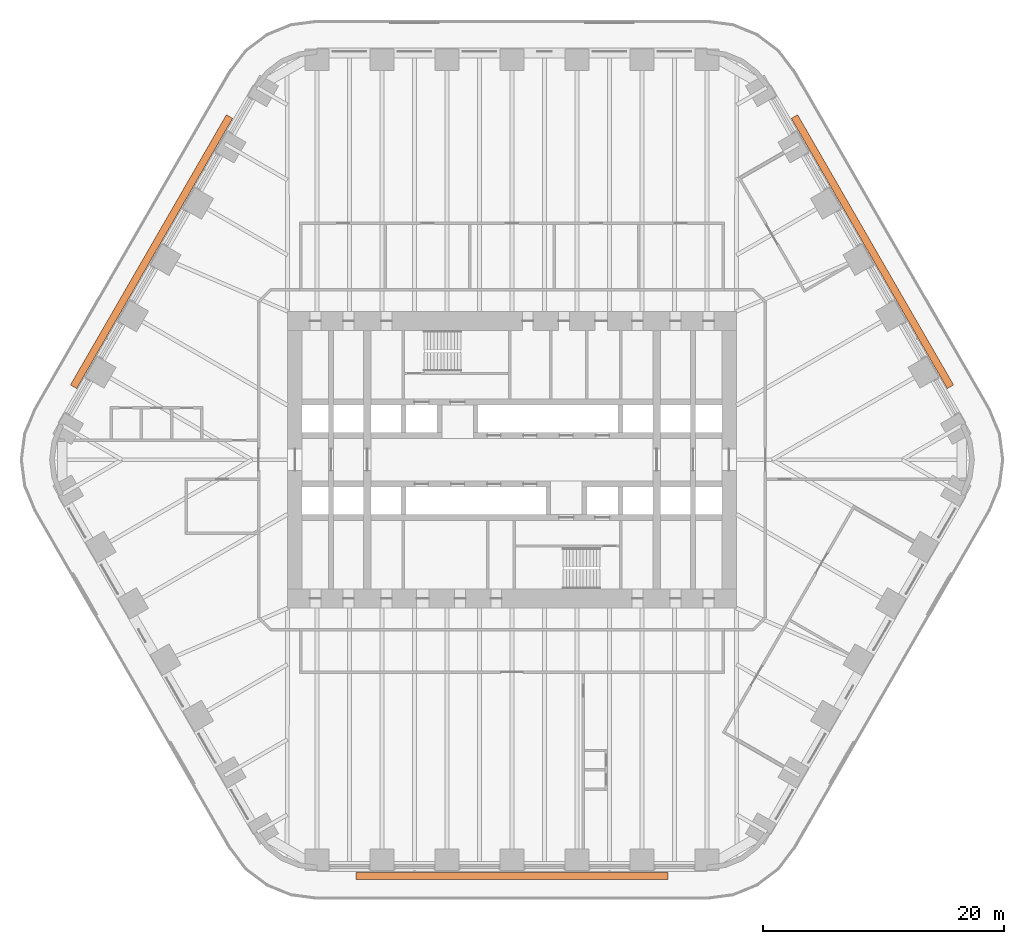
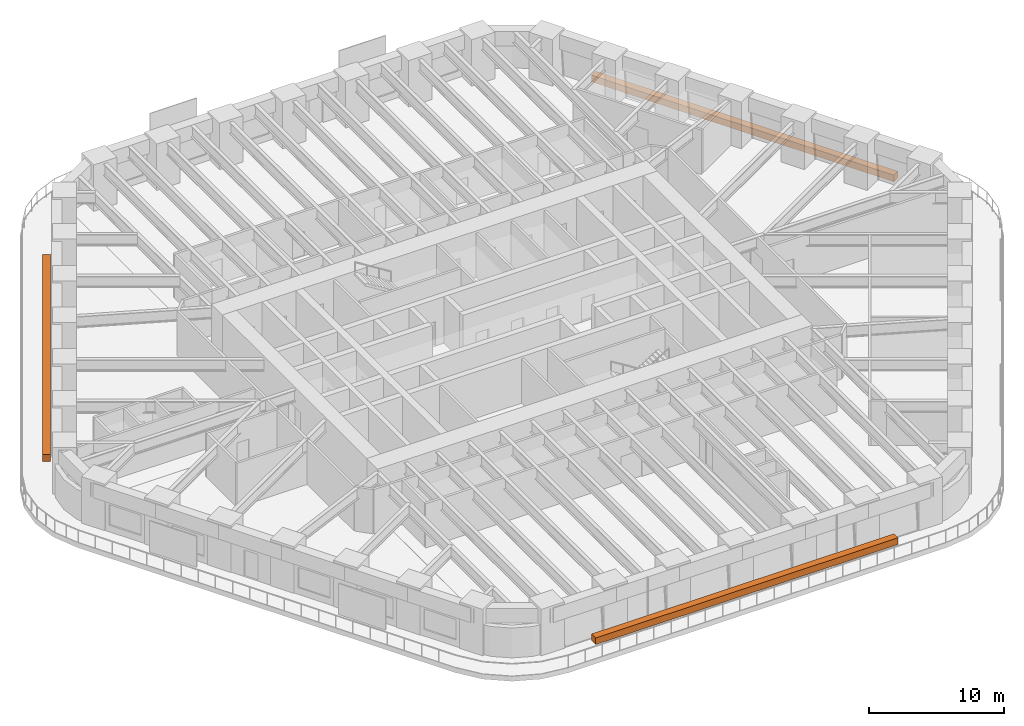
# One storey, part 23 of 23: 3 proxies.
"""IFC4 building model written with IfcOpenShell, lengths in metres."""

import ifcopenshell
import ifcopenshell.guid

model = None  # the IFC model being written
_history = None  # IfcOwnerHistory: only IFC2X3 demands one
_inside = {}  # id of a spatial element -> (the spatial element, [elements in it])
_under = {}  # id of a project, library or spatial element -> (it, [spatial elements below it])
_declared = {}  # id of a project -> (the project, [libraries it declares])
_typed = {}  # id of a type object -> (the type object, [elements of that type])
_made_of = {}  # id of a material, layer set ... -> (it, [elements and type objects made of it])


def new_model(schema):
    """Start an empty IFC model of exactly this schema.

    Asked for "IFC4X3", IfcOpenShell would pick the latest addendum, in which some entities
    have other attributes; the version numbers below select the first issue.
    IFC2X3 requires an IfcOwnerHistory on every rooted entity: one is made here for all.
    """
    global model, _history
    if schema == "IFC4X3":
        model = ifcopenshell.file(schema_version=(4, 3, 0, 0))
    else:
        model = ifcopenshell.file(schema=schema)
    _inside.clear()
    _under.clear()
    _declared.clear()
    _typed.clear()
    _made_of.clear()
    _history = None
    if model.schema == "IFC2X3":
        org = make("IfcOrganization", Name="unknown")
        user = make(
            "IfcPersonAndOrganization",
            ThePerson=make("IfcPerson", FamilyName="unknown"),
            TheOrganization=org,
        )
        app = make(
            "IfcApplication",
            ApplicationDeveloper=org,
            Version="unknown",
            ApplicationFullName="unknown",
            ApplicationIdentifier="unknown",
        )
        _history = make(
            "IfcOwnerHistory",
            OwningUser=user,
            OwningApplication=app,
            ChangeAction="ADDED",
            CreationDate=0,
        )
    return model


def make(cls, **values):
    """One entity of the class cls with the attributes given. An attribute that is None is left unset."""
    return model.create_entity(
        cls, **{name: value for name, value in values.items() if value is not None}
    )


def rooted(cls, **values):
    """An entity with a GlobalId (a new one), such as an element, a storey or a relation."""
    return make(cls, GlobalId=ifcopenshell.guid.new(), OwnerHistory=_history, **values)


def si_unit(unit_type, name, prefix=None):
    """IfcSIUnit, for example si_unit("LENGTHUNIT", "METRE", prefix="MILLI")."""
    return make("IfcSIUnit", UnitType=unit_type, Prefix=prefix, Name=name)


def assignment(units):
    """IfcUnitAssignment: the units of a project."""
    return None if units is None else make("IfcUnitAssignment", Units=units)


def point(xyz):
    """IfcCartesianPoint."""
    return None if xyz is None else make("IfcCartesianPoint", Coordinates=xyz)


def direction(xyz):
    """IfcDirection."""
    return None if xyz is None else make("IfcDirection", DirectionRatios=xyz)


def frame(location, z_axis=None, x_axis=None):
    """IfcAxis2Placement3D, a coordinate frame: its origin and axes. An axis left out is left unset."""
    return make(
        "IfcAxis2Placement3D",
        Location=point(location),
        Axis=direction(z_axis),
        RefDirection=direction(x_axis),
    )


def frame_2d(location, x_axis=None):
    """IfcAxis2Placement2D, a coordinate frame in the plane: its origin and x axis."""
    return make(
        "IfcAxis2Placement2D", Location=point(location), RefDirection=direction(x_axis)
    )


def origin():
    """The frame at (0, 0, 0) with its axes left unset."""
    return frame((0.0, 0.0, 0.0))


def origin_2d():
    """The frame at (0, 0) in the plane with its x axis left unset."""
    return frame_2d((0.0, 0.0))


def place(relative_to, where):
    """IfcLocalPlacement: puts the frame where relative to a parent placement (None: the world)."""
    return make(
        "IfcLocalPlacement", PlacementRelTo=relative_to, RelativePlacement=where
    )


def context(
    kind, dimensions, precision=None, world=None, true_north=None, identifier=None
):
    """IfcGeometricRepresentationContext, for example the 3D "Model" context."""
    return make(
        "IfcGeometricRepresentationContext",
        ContextIdentifier=identifier,
        ContextType=kind,
        CoordinateSpaceDimension=dimensions,
        Precision=precision,
        WorldCoordinateSystem=world,
        TrueNorth=true_north,
    )


def subcontext(parent, identifier, kind, view, scale=None):
    """IfcGeometricRepresentationSubContext, for example "Body" below "Model"."""
    return make(
        "IfcGeometricRepresentationSubContext",
        ContextIdentifier=identifier,
        ContextType=kind,
        ParentContext=parent,
        TargetScale=scale,
        TargetView=view,
    )


def project(units=None, contexts=None):
    """IfcProject with its units and contexts."""
    return rooted(
        "IfcProject",
        Name="project",
        RepresentationContexts=contexts,
        UnitsInContext=assignment(units),
    )


def spatial(cls, under=None, at=None, **own):
    """A site, building, storey or space (cls), placed at a placement, below another one or the project."""
    s = rooted(cls, ObjectPlacement=at, **own)
    if under is not None:
        _under.setdefault(under.id(), (under, []))[1].append(s)
    return s


def profile(cls, at=None, kind="AREA", **sizes):
    """A parametric profile (cls). Its sizes go by their IFC names, for example OverallWidth=200.0."""
    return make(cls, ProfileType=kind, Position=at, **sizes)


def rectangle(**sizes):
    """IfcRectangleProfileDef."""
    return profile("IfcRectangleProfileDef", **sizes)


def extrude(swept, where, along, depth):
    """IfcExtrudedAreaSolid: the profile swept, set in the frame where, extruded along a direction by depth."""
    return make(
        "IfcExtrudedAreaSolid",
        SweptArea=swept,
        Position=where,
        ExtrudedDirection=direction(along),
        Depth=depth,
    )


def shape(context_of_items, identifier, shape_type, items):
    """IfcShapeRepresentation: the items that make up one representation, for example the "Body"."""
    return make(
        "IfcShapeRepresentation",
        ContextOfItems=context_of_items,
        RepresentationIdentifier=identifier,
        RepresentationType=shape_type,
        Items=items,
    )


def material(Name=None, Category=None):
    """IfcMaterial."""
    return make("IfcMaterial", Name=Name, Category=Category)


def made_of(thing, what):
    """Note that an element or type object is made of a material, layer set ...; save() writes the relation."""
    if what is not None:
        _made_of.setdefault(what.id(), (what, []))[1].append(thing)
    return thing


def element(
    cls,
    number,
    at=None,
    inside=None,
    cuts=None,
    type_object=None,
    material=None,
    context=None,
    identifier="Body",
    shape_type=None,
    held_by="IfcProductDefinitionShape",
    body=None,
    shapes=None,
    **own,
):
    """One element of the class cls, such as IfcWall. Its Tag is "e" and its number.

    at: its placement. inside: the storey or other place that contains it. cuts: it is an
    opening in that element (IfcRelVoidsElement). A single representation is given by context,
    identifier, shape_type and body (its items); several are given by shapes. held_by: the class
    of the entity that holds the representations. save() writes the other relations.
    """
    e = rooted(cls, Tag="e%d" % number, ObjectPlacement=at, **own)
    if body is not None:
        shapes = [shape(context, identifier, shape_type, body)]
    if shapes is not None:
        e.Representation = make(held_by, Representations=shapes)
    if inside is not None:
        _inside.setdefault(inside.id(), (inside, []))[1].append(e)
    if cuts is not None:
        rooted(
            "IfcRelVoidsElement", RelatingBuildingElement=cuts, RelatedOpeningElement=e
        )
    if type_object is not None:
        _typed.setdefault(type_object.id(), (type_object, []))[1].append(e)
    return made_of(e, material)


def aggregate(whole, parts):
    """IfcRelAggregates: a whole, such as a stair, and the parts it consists of."""
    return rooted("IfcRelAggregates", RelatingObject=whole, RelatedObjects=parts)


def save(model, path):
    """Write the relations noted so far, then the file.

    IfcRelAggregates (storeys below a building ...), IfcRelContainedInSpatialStructure (elements
    in a storey), IfcRelDefinesByType, IfcRelAssociatesMaterial and IfcRelDeclares: one each for
    every whole, place, type object, material and project.
    """
    for whole, parts in _under.values():
        aggregate(whole, parts)
    for where, things in _inside.values():
        rooted(
            "IfcRelContainedInSpatialStructure",
            RelatedElements=things,
            RelatingStructure=where,
        )
    for kind, things in _typed.values():
        rooted("IfcRelDefinesByType", RelatedObjects=things, RelatingType=kind)
    for what, things in _made_of.values():
        rooted("IfcRelAssociatesMaterial", RelatedObjects=things, RelatingMaterial=what)
    for by, libraries in _declared.values():
        rooted("IfcRelDeclares", RelatingContext=by, RelatedDefinitions=libraries)
    model.write(path)


model = new_model("IFC4")

# Units and contexts
model_context = context("Model", 3, precision=1e-05, world=origin(), true_north=direction((0.0, 1.0)))
body_context = subcontext(model_context, "Body", "Model", "MODEL_VIEW")
ifc_project = project(units=[si_unit("LENGTHUNIT", "METRE"), si_unit("AREAUNIT", "SQUARE_METRE"), si_unit("VOLUMEUNIT", "CUBIC_METRE"), si_unit("PLANEANGLEUNIT", "RADIAN"), si_unit("MASSUNIT", "GRAM", prefix="KILO")], contexts=[model_context])

# Site, building, storey
site_placement = place(None, origin())
site = spatial("IfcSite", under=ifc_project, at=site_placement, CompositionType="ELEMENT")
building_placement = place(site_placement, origin())
building = spatial("IfcBuilding", under=site, at=building_placement, Name="Tarfa Lantern Tower", CompositionType="ELEMENT")
storey_placement = place(building_placement, frame((0.0, 0.0, 52.89990234375)))
storey = spatial("IfcBuildingStorey", under=building, at=storey_placement, Name="L11", CompositionType="ELEMENT", Elevation=52.89990234375)

# Proxies
ifc_material = material(Name="Planting bed")
for number, where, z_axis, x_axis, name in (
    (1, (29.8779296875, 17.25, 0.0), (0.0, 0.0, 1.0), (-0.5, 0.866025403784, 0.0), "Balcony planter"),
    (2, (-29.8779296875, 17.25, 0.0), (0.0, 0.0, 1.0), (-0.5, -0.866025403784, 0.0), "Balcony planter"),
    (3, (0.0, -34.5, 0.0), (0.0, 0.0, 1.0), (1.0, 0.0, 0.0), "Balcony planter"),
):
    element("IfcBuildingElementProxy", number, at=place(storey_placement, frame(where, z_axis=z_axis, x_axis=x_axis)), inside=storey, material=ifc_material, Name=name, ObjectType="PLANTER", PredefinedType="USERDEFINED", context=body_context, shape_type="SweptSolid", body=[
        extrude(rectangle(XDim=25.865234375, YDim=0.60009765625, at=origin_2d()), origin(), (0.0, 0.0, 1.0), 0.60009765625),
    ])

save(model, "model.ifc")
